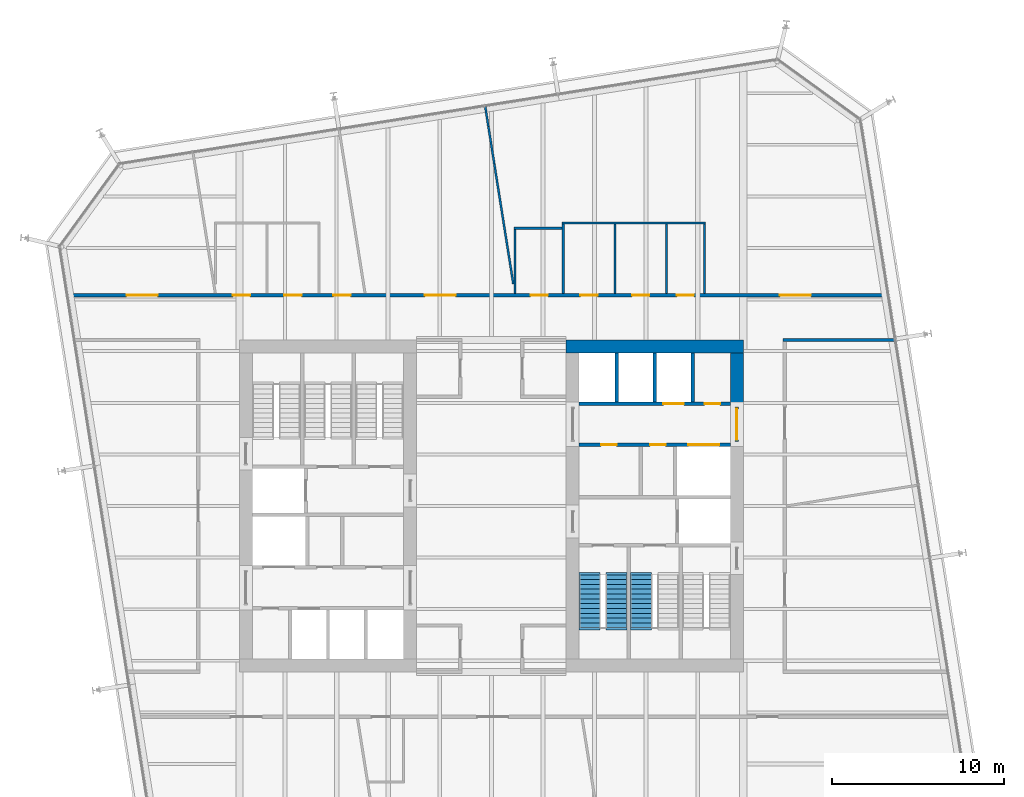
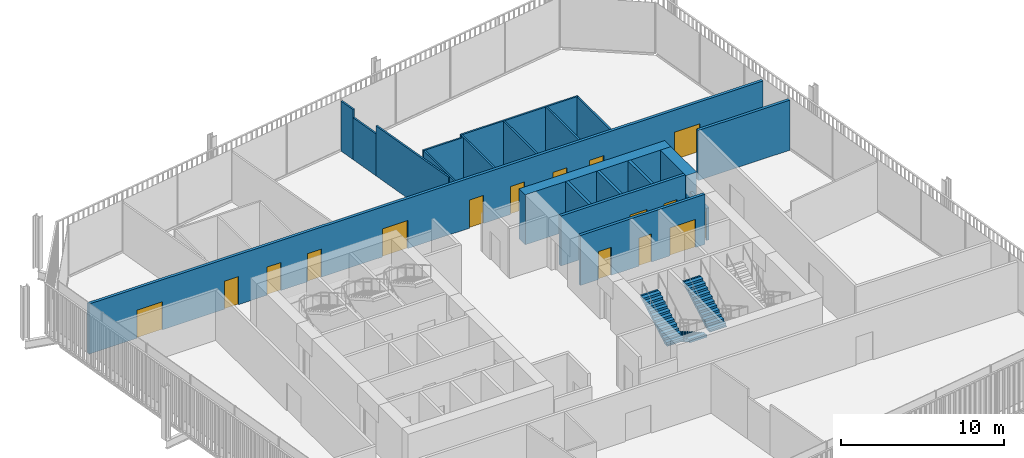
# One storey, part 19 of 21: 20 walls, 16 doors, 3 stair flights, 16 openings, 2 elements without a shape of their own.
"""IFC4 building model written with IfcOpenShell, lengths in metres."""

import ifcopenshell
import ifcopenshell.guid

model = None  # the IFC model being written
_history = None  # IfcOwnerHistory: only IFC2X3 demands one
_inside = {}  # id of a spatial element -> (the spatial element, [elements in it])
_under = {}  # id of a project, library or spatial element -> (it, [spatial elements below it])
_declared = {}  # id of a project -> (the project, [libraries it declares])
_typed = {}  # id of a type object -> (the type object, [elements of that type])
_made_of = {}  # id of a material, layer set ... -> (it, [elements and type objects made of it])


def new_model(schema):
    """Start an empty IFC model of exactly this schema.

    Asked for "IFC4X3", IfcOpenShell would pick the latest addendum, in which some entities
    have other attributes; the version numbers below select the first issue.
    IFC2X3 requires an IfcOwnerHistory on every rooted entity: one is made here for all.
    """
    global model, _history
    if schema == "IFC4X3":
        model = ifcopenshell.file(schema_version=(4, 3, 0, 0))
    else:
        model = ifcopenshell.file(schema=schema)
    _inside.clear()
    _under.clear()
    _declared.clear()
    _typed.clear()
    _made_of.clear()
    _history = None
    if model.schema == "IFC2X3":
        org = make("IfcOrganization", Name="unknown")
        user = make(
            "IfcPersonAndOrganization",
            ThePerson=make("IfcPerson", FamilyName="unknown"),
            TheOrganization=org,
        )
        app = make(
            "IfcApplication",
            ApplicationDeveloper=org,
            Version="unknown",
            ApplicationFullName="unknown",
            ApplicationIdentifier="unknown",
        )
        _history = make(
            "IfcOwnerHistory",
            OwningUser=user,
            OwningApplication=app,
            ChangeAction="ADDED",
            CreationDate=0,
        )
    return model


def make(cls, **values):
    """One entity of the class cls with the attributes given. An attribute that is None is left unset."""
    return model.create_entity(
        cls, **{name: value for name, value in values.items() if value is not None}
    )


def rooted(cls, **values):
    """An entity with a GlobalId (a new one), such as an element, a storey or a relation."""
    return make(cls, GlobalId=ifcopenshell.guid.new(), OwnerHistory=_history, **values)


def si_unit(unit_type, name, prefix=None):
    """IfcSIUnit, for example si_unit("LENGTHUNIT", "METRE", prefix="MILLI")."""
    return make("IfcSIUnit", UnitType=unit_type, Prefix=prefix, Name=name)


def assignment(units):
    """IfcUnitAssignment: the units of a project."""
    return None if units is None else make("IfcUnitAssignment", Units=units)


def point(xyz):
    """IfcCartesianPoint."""
    return None if xyz is None else make("IfcCartesianPoint", Coordinates=xyz)


def direction(xyz):
    """IfcDirection."""
    return None if xyz is None else make("IfcDirection", DirectionRatios=xyz)


def frame(location, z_axis=None, x_axis=None):
    """IfcAxis2Placement3D, a coordinate frame: its origin and axes. An axis left out is left unset."""
    return make(
        "IfcAxis2Placement3D",
        Location=point(location),
        Axis=direction(z_axis),
        RefDirection=direction(x_axis),
    )


def frame_2d(location, x_axis=None):
    """IfcAxis2Placement2D, a coordinate frame in the plane: its origin and x axis."""
    return make(
        "IfcAxis2Placement2D", Location=point(location), RefDirection=direction(x_axis)
    )


def origin():
    """The frame at (0, 0, 0) with its axes left unset."""
    return frame((0.0, 0.0, 0.0))


def place(relative_to, where):
    """IfcLocalPlacement: puts the frame where relative to a parent placement (None: the world)."""
    return make(
        "IfcLocalPlacement", PlacementRelTo=relative_to, RelativePlacement=where
    )


def context(
    kind, dimensions, precision=None, world=None, true_north=None, identifier=None
):
    """IfcGeometricRepresentationContext, for example the 3D "Model" context."""
    return make(
        "IfcGeometricRepresentationContext",
        ContextIdentifier=identifier,
        ContextType=kind,
        CoordinateSpaceDimension=dimensions,
        Precision=precision,
        WorldCoordinateSystem=world,
        TrueNorth=true_north,
    )


def subcontext(parent, identifier, kind, view, scale=None):
    """IfcGeometricRepresentationSubContext, for example "Body" below "Model"."""
    return make(
        "IfcGeometricRepresentationSubContext",
        ContextIdentifier=identifier,
        ContextType=kind,
        ParentContext=parent,
        TargetScale=scale,
        TargetView=view,
    )


def project(units=None, contexts=None):
    """IfcProject with its units and contexts."""
    return rooted(
        "IfcProject",
        Name="project",
        RepresentationContexts=contexts,
        UnitsInContext=assignment(units),
    )


def spatial(cls, under=None, at=None, **own):
    """A site, building, storey or space (cls), placed at a placement, below another one or the project."""
    s = rooted(cls, ObjectPlacement=at, **own)
    if under is not None:
        _under.setdefault(under.id(), (under, []))[1].append(s)
    return s


def polyline(points):
    """IfcPolyline through the points."""
    return make("IfcPolyline", Points=[point(p) for p in points])


def profile(cls, at=None, kind="AREA", **sizes):
    """A parametric profile (cls). Its sizes go by their IFC names, for example OverallWidth=200.0."""
    return make(cls, ProfileType=kind, Position=at, **sizes)


def rectangle(**sizes):
    """IfcRectangleProfileDef."""
    return profile("IfcRectangleProfileDef", **sizes)


def outline(outer, holes=None, kind="AREA"):
    """IfcArbitraryClosedProfileDef: a profile drawn as a closed curve; with holes, ...WithVoids."""
    if holes is None:
        return make("IfcArbitraryClosedProfileDef", ProfileType=kind, OuterCurve=outer)
    return make(
        "IfcArbitraryProfileDefWithVoids",
        ProfileType=kind,
        OuterCurve=outer,
        InnerCurves=holes,
    )


def extrude(swept, where, along, depth):
    """IfcExtrudedAreaSolid: the profile swept, set in the frame where, extruded along a direction by depth."""
    return make(
        "IfcExtrudedAreaSolid",
        SweptArea=swept,
        Position=where,
        ExtrudedDirection=direction(along),
        Depth=depth,
    )


def shape(context_of_items, identifier, shape_type, items):
    """IfcShapeRepresentation: the items that make up one representation, for example the "Body"."""
    return make(
        "IfcShapeRepresentation",
        ContextOfItems=context_of_items,
        RepresentationIdentifier=identifier,
        RepresentationType=shape_type,
        Items=items,
    )


def material(Name=None, Category=None):
    """IfcMaterial."""
    return make("IfcMaterial", Name=Name, Category=Category)


def layer(
    of_material, thickness, ventilated=None, Name=None, Category=None, Priority=None
):
    """IfcMaterialLayer: one layer of a wall or slab, of a material (None: an air gap)."""
    return make(
        "IfcMaterialLayer",
        Material=of_material,
        LayerThickness=thickness,
        IsVentilated=ventilated,
        Name=Name,
        Category=Category,
        Priority=Priority,
    )


def layer_set(layers, Name=None):
    """IfcMaterialLayerSet."""
    return make("IfcMaterialLayerSet", MaterialLayers=layers, LayerSetName=Name)


def made_of(thing, what):
    """Note that an element or type object is made of a material, layer set ...; save() writes the relation."""
    if what is not None:
        _made_of.setdefault(what.id(), (what, []))[1].append(thing)
    return thing


def type_object(cls, material=None, **own):
    """A type object (cls), such as IfcWallType, which elements share."""
    return made_of(rooted(cls, **own), material)


def element(
    cls,
    number,
    at=None,
    inside=None,
    cuts=None,
    type_object=None,
    material=None,
    context=None,
    identifier="Body",
    shape_type=None,
    held_by="IfcProductDefinitionShape",
    body=None,
    shapes=None,
    **own,
):
    """One element of the class cls, such as IfcWall. Its Tag is "e" and its number.

    at: its placement. inside: the storey or other place that contains it. cuts: it is an
    opening in that element (IfcRelVoidsElement). A single representation is given by context,
    identifier, shape_type and body (its items); several are given by shapes. held_by: the class
    of the entity that holds the representations. save() writes the other relations.
    """
    e = rooted(cls, Tag="e%d" % number, ObjectPlacement=at, **own)
    if body is not None:
        shapes = [shape(context, identifier, shape_type, body)]
    if shapes is not None:
        e.Representation = make(held_by, Representations=shapes)
    if inside is not None:
        _inside.setdefault(inside.id(), (inside, []))[1].append(e)
    if cuts is not None:
        rooted(
            "IfcRelVoidsElement", RelatingBuildingElement=cuts, RelatedOpeningElement=e
        )
    if type_object is not None:
        _typed.setdefault(type_object.id(), (type_object, []))[1].append(e)
    return made_of(e, material)


def fill(opening, filler):
    """IfcRelFillsElement: the door or window that sits in an opening."""
    return rooted(
        "IfcRelFillsElement",
        RelatingOpeningElement=opening,
        RelatedBuildingElement=filler,
    )


def aggregate(whole, parts):
    """IfcRelAggregates: a whole, such as a stair, and the parts it consists of."""
    return rooted("IfcRelAggregates", RelatingObject=whole, RelatedObjects=parts)


def save(model, path):
    """Write the relations noted so far, then the file.

    IfcRelAggregates (storeys below a building ...), IfcRelContainedInSpatialStructure (elements
    in a storey), IfcRelDefinesByType, IfcRelAssociatesMaterial and IfcRelDeclares: one each for
    every whole, place, type object, material and project.
    """
    for whole, parts in _under.values():
        aggregate(whole, parts)
    for where, things in _inside.values():
        rooted(
            "IfcRelContainedInSpatialStructure",
            RelatedElements=things,
            RelatingStructure=where,
        )
    for kind, things in _typed.values():
        rooted("IfcRelDefinesByType", RelatedObjects=things, RelatingType=kind)
    for what, things in _made_of.values():
        rooted("IfcRelAssociatesMaterial", RelatedObjects=things, RelatingMaterial=what)
    for by, libraries in _declared.values():
        rooted("IfcRelDeclares", RelatingContext=by, RelatedDefinitions=libraries)
    model.write(path)


model = new_model("IFC4")

# Units and contexts
model_context = context("Model", 3, precision=1e-05, world=origin(), true_north=direction((0.0, 1.0)))
body_context = subcontext(model_context, "Body", "Model", "MODEL_VIEW")
ifc_project = project(units=[si_unit("LENGTHUNIT", "METRE"), si_unit("AREAUNIT", "SQUARE_METRE"), si_unit("VOLUMEUNIT", "CUBIC_METRE"), si_unit("PLANEANGLEUNIT", "RADIAN"), si_unit("MASSUNIT", "GRAM", prefix="KILO")], contexts=[model_context])

# Site, building, storey
site_placement = place(None, origin())
site = spatial("IfcSite", under=ifc_project, at=site_placement, CompositionType="ELEMENT")
building_placement = place(site_placement, origin())
building = spatial("IfcBuilding", under=site, at=building_placement, Name="Millrace Tower", CompositionType="ELEMENT")
storey_placement = place(building_placement, frame((0.0, 0.0, 183.89990234375)))
storey = spatial("IfcBuildingStorey", under=building, at=storey_placement, Name="L41", CompositionType="ELEMENT", Elevation=183.89990234375)

# Walls
ifc_material_1 = material(Name="Concrete C70", Category="concrete")
ifc_layer_1 = layer(ifc_material_1, 0.75)
ifc_layer_set_1 = layer_set([ifc_layer_1], Name="Concrete C70")
wall_type_1 = type_object("IfcWallType", Name="Core wall 750 Concrete C70", PredefinedType="SHEAR", material=ifc_layer_set_1)
wall_1_placement = place(storey_placement, frame((14.64990234375, 9.27490234375, 0.0), z_axis=(0.0, 0.0, 1.0), x_axis=(-1.0, 0.0, 0.0)))
element("IfcWall", 1, at=wall_1_placement, inside=storey, type_object=wall_type_1, Name="Core wall E L41", PredefinedType="SHEAR", context=body_context, shape_type="SweptSolid", body=[
    extrude(rectangle(XDim=10.2998046875, YDim=0.75, at=frame_2d((5.14990234375, 0.0))), origin(), (0.0, 0.0, 1.0), 3.739990234375),
])
wall_2_placement = place(storey_placement, frame((14.27490234375, 8.89990234375, 0.0), z_axis=(0.0, 0.0, 1.0), x_axis=(0.0, -1.0, 0.0)))
element("IfcWall", 2, at=wall_2_placement, inside=storey, type_object=wall_type_1, Name="Core wall E L41", PredefinedType="SHEAR", context=body_context, shape_type="SweptSolid", body=[
    extrude(rectangle(XDim=3.14990234375, YDim=0.75, at=frame_2d((1.574951171875, 0.0))), origin(), (0.0, 0.0, 1.0), 3.739990234375),
])
ifc_material_2 = material(Name="Masonry partition, fire-rated", Category="masonry")
ifc_layer_2 = layer(ifc_material_2, 0.199951171875)
ifc_layer_set_2 = layer_set([ifc_layer_2], Name="Masonry partition, fire-rated")
wall_type_2 = type_object("IfcWallType", Name="Corridor wall 200", PredefinedType="PARTITIONING", material=ifc_layer_set_2)
wall_3_placement = place(storey_placement, frame((16.949951171875, 9.64990234375, 0.0), z_axis=(0.0, 0.0, 1.0), x_axis=(1.0, 0.0, 0.0)))
element("IfcWall", 3, at=wall_3_placement, inside=storey, type_object=wall_type_2, Name="Corridor wall L41", PredefinedType="PARTITIONING", context=body_context, shape_type="SweptSolid", body=[
    extrude(rectangle(XDim=6.489501953125, YDim=0.199951171875, at=frame_2d((3.24462890625, 0.0))), origin(), (0.0, 0.0, 1.0), 3.739990234375),
])

# Wall, openings, doors
wall_4_placement = place(storey_placement, frame((-24.618896484375, 12.25, 0.0), z_axis=(0.0, 0.0, 1.0), x_axis=(1.0, 0.0, 0.0)))
wall_4 = element("IfcWall", 4, at=wall_4_placement, inside=storey, type_object=wall_type_2, Name="Corridor wall L41", PredefinedType="PARTITIONING", context=body_context, shape_type="SweptSolid", body=[
    extrude(rectangle(XDim=47.646484375, YDim=0.199951171875, at=frame_2d((23.8232421875, 0.0))), origin(), (0.0, 0.0, 1.0), 3.739990234375),
])
opening_1_placement = place(wall_4_placement, frame((3.41845703125, 0.0, 0.0)))
opening_1 = element("IfcOpeningElement", 5, at=opening_1_placement, cuts=wall_4, Name="Opening 41-P005", PredefinedType="OPENING", context=body_context, shape_type="SweptSolid", body=[
    extrude(rectangle(XDim=1.800048828125, YDim=2.10009765625, at=frame_2d((0.89990234375, 1.050048828125))), frame((0.0, 0.10986328125, 0.0), z_axis=(0.0, -1.0, 0.0), x_axis=(1.0, 0.0, 0.0)), (0.0, 0.0, 1.0), 0.219970703125),
])
opening_2_placement = place(wall_4_placement, frame((15.439453125, 0.0, 0.0)))
opening_2 = element("IfcOpeningElement", 6, at=opening_2_placement, cuts=wall_4, Name="Opening 41-P006", PredefinedType="OPENING", context=body_context, shape_type="SweptSolid", body=[
    extrude(rectangle(XDim=1.0, YDim=2.10009765625, at=frame_2d((0.5, 1.050048828125))), frame((0.0, 0.10986328125, 0.0), z_axis=(0.0, -1.0, 0.0), x_axis=(1.0, 0.0, 0.0)), (0.0, 0.0, 1.0), 0.219970703125),
])
opening_3_placement = place(wall_4_placement, frame((9.5859375, 0.0, 0.0)))
opening_3 = element("IfcOpeningElement", 7, at=opening_3_placement, cuts=wall_4, Name="Opening 41-P007", PredefinedType="OPENING", context=body_context, shape_type="SweptSolid", body=[
    extrude(rectangle(XDim=1.0, YDim=2.10009765625, at=frame_2d((0.5, 1.050048828125))), frame((0.0, 0.10986328125, 0.0), z_axis=(0.0, -1.0, 0.0), x_axis=(1.0, 0.0, 0.0)), (0.0, 0.0, 1.0), 0.219970703125),
])
opening_4_placement = place(wall_4_placement, frame((12.5859375, 0.0, 0.0)))
opening_4 = element("IfcOpeningElement", 8, at=opening_4_placement, cuts=wall_4, Name="Opening 41-P008", PredefinedType="OPENING", context=body_context, shape_type="SweptSolid", body=[
    extrude(rectangle(XDim=1.0, YDim=2.10009765625, at=frame_2d((0.5, 1.050048828125))), frame((0.0, 0.10986328125, 0.0), z_axis=(0.0, -1.0, 0.0), x_axis=(1.0, 0.0, 0.0)), (0.0, 0.0, 1.0), 0.219970703125),
])
opening_5_placement = place(wall_4_placement, frame((20.746337890625, 0.0, 0.0)))
opening_5 = element("IfcOpeningElement", 9, at=opening_5_placement, cuts=wall_4, Name="Opening 41-P009", PredefinedType="OPENING", context=body_context, shape_type="SweptSolid", body=[
    extrude(rectangle(XDim=1.800048828125, YDim=2.10009765625, at=frame_2d((0.89990234375, 1.050048828125))), frame((0.0, 0.10986328125, 0.0), z_axis=(0.0, -1.0, 0.0), x_axis=(1.0, 0.0, 0.0)), (0.0, 0.0, 1.0), 0.219970703125),
])
opening_6_placement = place(wall_4_placement, frame((41.39794921875, 0.0, 0.0)))
opening_6 = element("IfcOpeningElement", 10, at=opening_6_placement, cuts=wall_4, Name="Opening 41-P010", PredefinedType="OPENING", context=body_context, shape_type="SweptSolid", body=[
    extrude(rectangle(XDim=1.800048828125, YDim=2.10009765625, at=frame_2d((0.89990234375, 1.050048828125))), frame((0.0, 0.10986328125, 0.0), z_axis=(0.0, -1.0, 0.0), x_axis=(1.0, 0.0, 0.0)), (0.0, 0.0, 1.0), 0.219970703125),
])
opening_7_placement = place(wall_4_placement, frame((26.89990234375, 0.0, 0.0)))
opening_7 = element("IfcOpeningElement", 11, at=opening_7_placement, cuts=wall_4, Name="Opening 41-P011", PredefinedType="OPENING", context=body_context, shape_type="SweptSolid", body=[
    extrude(rectangle(XDim=1.0, YDim=2.10009765625, at=frame_2d((0.5, 1.050048828125))), frame((0.0, 0.10986328125, 0.0), z_axis=(0.0, -1.0, 0.0), x_axis=(1.0, 0.0, 0.0)), (0.0, 0.0, 1.0), 0.219970703125),
])
opening_8_placement = place(wall_4_placement, frame((29.800048828125, 0.0, 0.0)))
opening_8 = element("IfcOpeningElement", 12, at=opening_8_placement, cuts=wall_4, Name="Opening 41-P019", PredefinedType="OPENING", context=body_context, shape_type="SweptSolid", body=[
    extrude(rectangle(XDim=1.0, YDim=2.10009765625, at=frame_2d((0.5, 1.050048828125))), frame((0.0, 0.10986328125, 0.0), z_axis=(0.0, -1.0, 0.0), x_axis=(1.0, 0.0, 0.0)), (0.0, 0.0, 1.0), 0.219970703125),
])
opening_9_placement = place(wall_4_placement, frame((32.800048828125, 0.0, 0.0)))
opening_9 = element("IfcOpeningElement", 13, at=opening_9_placement, cuts=wall_4, Name="Opening 41-P020", PredefinedType="OPENING", context=body_context, shape_type="SweptSolid", body=[
    extrude(rectangle(XDim=1.0, YDim=2.10009765625, at=frame_2d((0.5, 1.050048828125))), frame((0.0, 0.10986328125, 0.0), z_axis=(0.0, -1.0, 0.0), x_axis=(1.0, 0.0, 0.0)), (0.0, 0.0, 1.0), 0.219970703125),
])
opening_10_placement = place(wall_4_placement, frame((35.39990234375, 0.0, 0.0)))
opening_10 = element("IfcOpeningElement", 14, at=opening_10_placement, cuts=wall_4, Name="Opening 41-P021", PredefinedType="OPENING", context=body_context, shape_type="SweptSolid", body=[
    extrude(rectangle(XDim=1.0, YDim=2.10009765625, at=frame_2d((0.5, 1.050048828125))), frame((0.0, 0.10986328125, 0.0), z_axis=(0.0, -1.0, 0.0), x_axis=(1.0, 0.0, 0.0)), (0.0, 0.0, 1.0), 0.219970703125),
])
ifc_material_3 = material(Name="Steel door set, fire-rated", Category="steel")
door_type_1 = type_object("IfcDoorType", Name="Corridor door 1000 x 2100", OperationType="SINGLE_SWING_LEFT", PredefinedType="DOOR", material=ifc_material_3)
door_1_placement = place(opening_2_placement, origin())
door_1 = element("IfcDoor", 15, at=door_1_placement, inside=storey, type_object=door_type_1, Name="Door 41-P006", OperationType="SINGLE_SWING_LEFT", OverallHeight=2.10009765625, OverallWidth=1.0, PredefinedType="DOOR", context=body_context, shape_type="SweptSolid", body=[
    extrude(rectangle(XDim=1.0, YDim=2.10009765625, at=frame_2d((0.5, 1.050048828125))), frame((0.0, 0.02490234375, 0.0), z_axis=(0.0, -1.0, 0.0), x_axis=(1.0, 0.0, 0.0)), (0.0, 0.0, 1.0), 0.050048828125),
])
fill(opening_2, door_1)
door_2_placement = place(opening_3_placement, origin())
door_2 = element("IfcDoor", 16, at=door_2_placement, inside=storey, type_object=door_type_1, Name="Door 41-P007", OperationType="SINGLE_SWING_LEFT", OverallHeight=2.10009765625, OverallWidth=1.0, PredefinedType="DOOR", context=body_context, shape_type="SweptSolid", body=[
    extrude(rectangle(XDim=1.0, YDim=2.10009765625, at=frame_2d((0.5, 1.050048828125))), frame((0.0, 0.02490234375, 0.0), z_axis=(0.0, -1.0, 0.0), x_axis=(1.0, 0.0, 0.0)), (0.0, 0.0, 1.0), 0.050048828125),
])
fill(opening_3, door_2)
door_3_placement = place(opening_4_placement, origin())
door_3 = element("IfcDoor", 17, at=door_3_placement, inside=storey, type_object=door_type_1, Name="Door 41-P008", OperationType="SINGLE_SWING_LEFT", OverallHeight=2.10009765625, OverallWidth=1.0, PredefinedType="DOOR", context=body_context, shape_type="SweptSolid", body=[
    extrude(rectangle(XDim=1.0, YDim=2.10009765625, at=frame_2d((0.5, 1.050048828125))), frame((0.0, 0.02490234375, 0.0), z_axis=(0.0, -1.0, 0.0), x_axis=(1.0, 0.0, 0.0)), (0.0, 0.0, 1.0), 0.050048828125),
])
fill(opening_4, door_3)
door_4_placement = place(opening_7_placement, origin())
door_4 = element("IfcDoor", 18, at=door_4_placement, inside=storey, type_object=door_type_1, Name="Door 41-P011", OperationType="SINGLE_SWING_RIGHT", OverallHeight=2.10009765625, OverallWidth=1.0, PredefinedType="DOOR", context=body_context, shape_type="SweptSolid", body=[
    extrude(rectangle(XDim=1.0, YDim=2.10009765625, at=frame_2d((0.5, 1.050048828125))), frame((0.0, 0.02490234375, 0.0), z_axis=(0.0, -1.0, 0.0), x_axis=(1.0, 0.0, 0.0)), (0.0, 0.0, 1.0), 0.050048828125),
])
fill(opening_7, door_4)
door_5_placement = place(opening_8_placement, origin())
door_5 = element("IfcDoor", 19, at=door_5_placement, inside=storey, type_object=door_type_1, Name="Door 41-P019", OperationType="SINGLE_SWING_RIGHT", OverallHeight=2.10009765625, OverallWidth=1.0, PredefinedType="DOOR", context=body_context, shape_type="SweptSolid", body=[
    extrude(rectangle(XDim=1.0, YDim=2.10009765625, at=frame_2d((0.5, 1.050048828125))), frame((0.0, 0.02490234375, 0.0), z_axis=(0.0, -1.0, 0.0), x_axis=(1.0, 0.0, 0.0)), (0.0, 0.0, 1.0), 0.050048828125),
])
fill(opening_8, door_5)
door_6_placement = place(opening_9_placement, origin())
door_6 = element("IfcDoor", 20, at=door_6_placement, inside=storey, type_object=door_type_1, Name="Door 41-P020", OperationType="SINGLE_SWING_RIGHT", OverallHeight=2.10009765625, OverallWidth=1.0, PredefinedType="DOOR", context=body_context, shape_type="SweptSolid", body=[
    extrude(rectangle(XDim=1.0, YDim=2.10009765625, at=frame_2d((0.5, 1.050048828125))), frame((0.0, 0.02490234375, 0.0), z_axis=(0.0, -1.0, 0.0), x_axis=(1.0, 0.0, 0.0)), (0.0, 0.0, 1.0), 0.050048828125),
])
fill(opening_9, door_6)
door_7_placement = place(opening_10_placement, origin())
door_7 = element("IfcDoor", 21, at=door_7_placement, inside=storey, type_object=door_type_1, Name="Door 41-P021", OperationType="SINGLE_SWING_RIGHT", OverallHeight=2.10009765625, OverallWidth=1.0, PredefinedType="DOOR", context=body_context, shape_type="SweptSolid", body=[
    extrude(rectangle(XDim=1.0, YDim=2.10009765625, at=frame_2d((0.5, 1.050048828125))), frame((0.0, 0.02490234375, 0.0), z_axis=(0.0, -1.0, 0.0), x_axis=(1.0, 0.0, 0.0)), (0.0, 0.0, 1.0), 0.050048828125),
])
fill(opening_10, door_7)
ifc_material_4 = material(Name="Steel door set, fire-rated", Category="steel")
door_type_2 = type_object("IfcDoorType", Name="Corridor door 1800 x 2100", OperationType="DOUBLE_DOOR_SINGLE_SWING", PredefinedType="DOOR", material=ifc_material_4)
door_8_placement = place(opening_1_placement, origin())
door_8 = element("IfcDoor", 22, at=door_8_placement, inside=storey, type_object=door_type_2, Name="Door 41-P005", OperationType="DOUBLE_DOOR_SINGLE_SWING", OverallHeight=2.10009765625, OverallWidth=1.800048828125, PredefinedType="DOOR", context=body_context, shape_type="SweptSolid", body=[
    extrude(rectangle(XDim=1.800048828125, YDim=2.10009765625, at=frame_2d((0.89990234375, 1.050048828125))), frame((0.0, 0.02490234375, 0.0), z_axis=(0.0, -1.0, 0.0), x_axis=(1.0, 0.0, 0.0)), (0.0, 0.0, 1.0), 0.050048828125),
])
fill(opening_1, door_8)
door_9_placement = place(opening_5_placement, origin())
door_9 = element("IfcDoor", 23, at=door_9_placement, inside=storey, type_object=door_type_2, Name="Door 41-P009", OperationType="DOUBLE_DOOR_SINGLE_SWING", OverallHeight=2.10009765625, OverallWidth=1.800048828125, PredefinedType="DOOR", context=body_context, shape_type="SweptSolid", body=[
    extrude(rectangle(XDim=1.800048828125, YDim=2.10009765625, at=frame_2d((0.89990234375, 1.050048828125))), frame((0.0, 0.02490234375, 0.0), z_axis=(0.0, -1.0, 0.0), x_axis=(1.0, 0.0, 0.0)), (0.0, 0.0, 1.0), 0.050048828125),
])
fill(opening_5, door_9)
door_10_placement = place(opening_6_placement, frame((1.800048828125, 0.0, 0.0), z_axis=(0.0, 0.0, 1.0), x_axis=(-1.0, 0.0, 0.0)))
door_10 = element("IfcDoor", 24, at=door_10_placement, inside=storey, type_object=door_type_2, Name="Door 41-P010", OperationType="DOUBLE_DOOR_SINGLE_SWING", OverallHeight=2.10009765625, OverallWidth=1.800048828125, PredefinedType="DOOR", context=body_context, shape_type="SweptSolid", body=[
    extrude(rectangle(XDim=1.800048828125, YDim=2.10009765625, at=frame_2d((0.89990234375, 1.050048828125))), frame((0.0, 0.02490234375, 0.0), z_axis=(0.0, -1.0, 0.0), x_axis=(1.0, 0.0, 0.0)), (0.0, 0.0, 1.0), 0.050048828125),
])
fill(opening_6, door_10)

ifc_material_5 = material(Name="Masonry partition, fire-rated", Category="masonry")
ifc_layer_3 = layer(ifc_material_5, 0.199951171875)
ifc_layer_set_3 = layer_set([ifc_layer_3], Name="Masonry partition, fire-rated")
wall_type_3 = type_object("IfcWallType", Name="Lift shaft wall 200", PredefinedType="PARTITIONING", material=ifc_layer_set_3)
wall_5_placement = place(storey_placement, frame((13.89990234375, 5.949951171875, 0.0), z_axis=(0.0, 0.0, 1.0), x_axis=(-1.0, 0.0, 0.0)))
wall_5 = element("IfcWall", 25, at=wall_5_placement, inside=storey, type_object=wall_type_3, Name="Lift shaft wall E L41", PredefinedType="PARTITIONING", context=body_context, shape_type="SweptSolid", body=[
    extrude(rectangle(XDim=8.7998046875, YDim=0.199951171875, at=frame_2d((4.39990234375, 0.0))), origin(), (0.0, 0.0, 1.0), 3.739990234375),
])
opening_11_placement = place(wall_5_placement, frame((2.699951171875, 0.0, 0.0)))
opening_11 = element("IfcOpeningElement", 26, at=opening_11_placement, cuts=wall_5, Name="Opening 41-LD10", PredefinedType="OPENING", context=body_context, shape_type="SweptSolid", body=[
    extrude(rectangle(XDim=1.199951171875, YDim=2.10009765625, at=frame_2d((0.60009765625, 1.050048828125))), frame((0.0, 0.10986328125, 0.0), z_axis=(0.0, -1.0, 0.0), x_axis=(1.0, 0.0, 0.0)), (0.0, 0.0, 1.0), 0.219970703125),
])
opening_12_placement = place(wall_5_placement, frame((0.60009765625, 0.0, 0.0)))
opening_12 = element("IfcOpeningElement", 27, at=opening_12_placement, cuts=wall_5, Name="Opening 41-C014", PredefinedType="OPENING", context=body_context, shape_type="SweptSolid", body=[
    extrude(rectangle(XDim=0.89990234375, YDim=2.10009765625, at=frame_2d((0.449951171875, 1.050048828125))), frame((0.0, 0.10986328125, 0.0), z_axis=(0.0, -1.0, 0.0), x_axis=(1.0, 0.0, 0.0)), (0.0, 0.0, 1.0), 0.219970703125),
])
ifc_material_6 = material(Name="Stainless steel, fire-rated", Category="steel")
door_type_3 = type_object("IfcDoorType", Name="Lift landing door 1200 x 2100", OperationType="DOUBLE_DOOR_SLIDING", PredefinedType="DOOR", material=ifc_material_6)
door_11_placement = place(opening_11_placement, origin())
door_11 = element("IfcDoor", 28, at=door_11_placement, inside=storey, type_object=door_type_3, Name="Lift landing door LF10 L41", OperationType="DOUBLE_DOOR_SLIDING", OverallHeight=2.10009765625, OverallWidth=1.199951171875, PredefinedType="DOOR", context=body_context, shape_type="SweptSolid", body=[
    extrude(rectangle(XDim=1.199951171875, YDim=2.10009765625, at=frame_2d((0.60009765625, 1.050048828125))), frame((0.0, 0.02490234375, 0.0), z_axis=(0.0, -1.0, 0.0), x_axis=(1.0, 0.0, 0.0)), (0.0, 0.0, 1.0), 0.050048828125),
])
fill(opening_11, door_11)
ifc_material_7 = material(Name="Steel door, fire-rated", Category="steel")
door_type_4 = type_object("IfcDoorType", Name="Service room door 900 x 2100", OperationType="SINGLE_SWING_LEFT", PredefinedType="DOOR", material=ifc_material_7)
door_12_placement = place(opening_12_placement, frame((0.89990234375, 0.0, 0.0), z_axis=(0.0, 0.0, 1.0), x_axis=(-1.0, 0.0, 0.0)))
door_12 = element("IfcDoor", 29, at=door_12_placement, inside=storey, type_object=door_type_4, Name="Service room door 41-C014", OperationType="SINGLE_SWING_RIGHT", OverallHeight=2.10009765625, OverallWidth=0.89990234375, PredefinedType="DOOR", context=body_context, shape_type="SweptSolid", body=[
    extrude(rectangle(XDim=0.89990234375, YDim=2.10009765625, at=frame_2d((0.449951171875, 1.050048828125))), frame((0.0, 0.02490234375, 0.0), z_axis=(0.0, -1.0, 0.0), x_axis=(1.0, 0.0, 0.0)), (0.0, 0.0, 1.0), 0.050048828125),
])
fill(opening_12, door_12)

wall_6_placement = place(storey_placement, frame((13.89990234375, 3.550048828125, 0.0), z_axis=(0.0, 0.0, 1.0), x_axis=(-1.0, 0.0, 0.0)))
wall_6 = element("IfcWall", 30, at=wall_6_placement, inside=storey, type_object=wall_type_3, Name="Lift shaft wall E L41", PredefinedType="PARTITIONING", context=body_context, shape_type="SweptSolid", body=[
    extrude(rectangle(XDim=8.7998046875, YDim=0.199951171875, at=frame_2d((4.39990234375, 0.0))), origin(), (0.0, 0.0, 1.0), 3.739990234375),
])
opening_13_placement = place(wall_6_placement, frame((0.64990234375, 0.0, 0.0)))
opening_13 = element("IfcOpeningElement", 31, at=opening_13_placement, cuts=wall_6, Name="Opening 41-LD13", PredefinedType="OPENING", context=body_context, shape_type="SweptSolid", body=[
    extrude(rectangle(XDim=1.800048828125, YDim=2.10009765625, at=frame_2d((0.89990234375, 1.050048828125))), frame((0.0, 0.10986328125, 0.0), z_axis=(0.0, -1.0, 0.0), x_axis=(1.0, 0.0, 0.0)), (0.0, 0.0, 1.0), 0.219970703125),
])
opening_14_placement = place(wall_6_placement, frame((3.762451171875, 0.0, 0.0)))
opening_14 = element("IfcOpeningElement", 32, at=opening_14_placement, cuts=wall_6, Name="Opening 41-C015", PredefinedType="OPENING", context=body_context, shape_type="SweptSolid", body=[
    extrude(rectangle(XDim=0.89990234375, YDim=2.10009765625, at=frame_2d((0.449951171875, 1.050048828125))), frame((0.0, 0.10986328125, 0.0), z_axis=(0.0, -1.0, 0.0), x_axis=(1.0, 0.0, 0.0)), (0.0, 0.0, 1.0), 0.219970703125),
])
opening_15_placement = place(wall_6_placement, frame((6.612548828125, 0.0, 0.0)))
opening_15 = element("IfcOpeningElement", 33, at=opening_15_placement, cuts=wall_6, Name="Opening 41-C016", PredefinedType="OPENING", context=body_context, shape_type="SweptSolid", body=[
    extrude(rectangle(XDim=0.89990234375, YDim=2.10009765625, at=frame_2d((0.449951171875, 1.050048828125))), frame((0.0, 0.10986328125, 0.0), z_axis=(0.0, -1.0, 0.0), x_axis=(1.0, 0.0, 0.0)), (0.0, 0.0, 1.0), 0.219970703125),
])
ifc_material_8 = material(Name="Stainless steel, fire-rated", Category="steel")
door_type_5 = type_object("IfcDoorType", Name="Lift landing door 1800 x 2100", OperationType="DOUBLE_DOOR_SLIDING", PredefinedType="DOOR", material=ifc_material_8)
door_13_placement = place(opening_13_placement, origin())
door_13 = element("IfcDoor", 34, at=door_13_placement, inside=storey, type_object=door_type_5, Name="Lift landing door LF13 L41", OperationType="DOUBLE_DOOR_SLIDING", OverallHeight=2.10009765625, OverallWidth=1.800048828125, PredefinedType="DOOR", context=body_context, shape_type="SweptSolid", body=[
    extrude(rectangle(XDim=1.800048828125, YDim=2.10009765625, at=frame_2d((0.89990234375, 1.050048828125))), frame((0.0, 0.02490234375, 0.0), z_axis=(0.0, -1.0, 0.0), x_axis=(1.0, 0.0, 0.0)), (0.0, 0.0, 1.0), 0.050048828125),
])
fill(opening_13, door_13)
door_14_placement = place(opening_14_placement, origin())
door_14 = element("IfcDoor", 35, at=door_14_placement, inside=storey, type_object=door_type_4, Name="Service room door 41-C015", OperationType="SINGLE_SWING_LEFT", OverallHeight=2.10009765625, OverallWidth=0.89990234375, PredefinedType="DOOR", context=body_context, shape_type="SweptSolid", body=[
    extrude(rectangle(XDim=0.89990234375, YDim=2.10009765625, at=frame_2d((0.449951171875, 1.050048828125))), frame((0.0, 0.02490234375, 0.0), z_axis=(0.0, -1.0, 0.0), x_axis=(1.0, 0.0, 0.0)), (0.0, 0.0, 1.0), 0.050048828125),
])
fill(opening_14, door_14)
door_15_placement = place(opening_15_placement, origin())
door_15 = element("IfcDoor", 36, at=door_15_placement, inside=storey, type_object=door_type_4, Name="Service room door 41-C016", OperationType="SINGLE_SWING_RIGHT", OverallHeight=2.10009765625, OverallWidth=0.89990234375, PredefinedType="DOOR", context=body_context, shape_type="SweptSolid", body=[
    extrude(rectangle(XDim=0.89990234375, YDim=2.10009765625, at=frame_2d((0.449951171875, 1.050048828125))), frame((0.0, 0.02490234375, 0.0), z_axis=(0.0, -1.0, 0.0), x_axis=(1.0, 0.0, 0.0)), (0.0, 0.0, 1.0), 0.050048828125),
])
fill(opening_15, door_15)

# Walls
for number, where, z_axis, x_axis, name in (
    (37, (11.699951171875, 8.89990234375, 0.0), (0.0, 0.0, 1.0), (0.0, -1.0, 0.0), "Lift shaft wall E L41"),
    (38, (9.5, 8.89990234375, 0.0), (0.0, 0.0, 1.0), (0.0, -1.0, 0.0), "Lift shaft wall E L41"),
    (39, (7.300048828125, 8.89990234375, 0.0), (0.0, 0.0, 1.0), (0.0, -1.0, 0.0), "Lift shaft wall E L41"),
):
    element("IfcWall", number, at=place(storey_placement, frame(where, z_axis=z_axis, x_axis=x_axis)), inside=storey, type_object=wall_type_3, Name=name, PredefinedType="PARTITIONING", context=body_context, shape_type="SweptSolid", body=[
        extrude(rectangle(XDim=2.849853515625, YDim=0.199951171875, at=frame_2d((1.4248046875, 0.0))), origin(), (0.0, 0.0, 1.0), 3.739990234375),
    ])

# Wall, opening, door
ifc_material_9 = material(Name="Masonry partition, fire-rated", Category="masonry")
ifc_layer_4 = layer(ifc_material_9, 0.199951171875)
ifc_layer_set_4 = layer_set([ifc_layer_4], Name="Masonry partition, fire-rated")
wall_type_4 = type_object("IfcWallType", Name="Lobby wall 200", PredefinedType="PARTITIONING", material=ifc_layer_set_4)
wall_7_placement = place(storey_placement, frame((14.27490234375, 5.75, 0.0), z_axis=(0.0, 0.0, 1.0), x_axis=(0.0, -1.0, 0.0)))
wall_7 = element("IfcWall", 40, at=wall_7_placement, inside=storey, type_object=wall_type_4, Name="Lobby wall E L41", PredefinedType="PARTITIONING", context=body_context, shape_type="SweptSolid", body=[
    extrude(rectangle(XDim=2.0, YDim=0.199951171875, at=frame_2d((1.0, 0.0))), origin(), (0.0, 0.0, 1.0), 2.400146484375),
])
opening_16_placement = place(wall_7_placement, frame((0.10009765625, 0.0, 0.0)))
opening_16 = element("IfcOpeningElement", 41, at=opening_16_placement, cuts=wall_7, Name="Opening 41-C010", PredefinedType="OPENING", context=body_context, shape_type="SweptSolid", body=[
    extrude(rectangle(XDim=1.800048828125, YDim=2.10009765625, at=frame_2d((0.89990234375, 1.050048828125))), frame((0.0, 0.10986328125, 0.0), z_axis=(0.0, -1.0, 0.0), x_axis=(1.0, 0.0, 0.0)), (0.0, 0.0, 1.0), 0.219970703125),
])
ifc_material_10 = material(Name="Steel door, fire-rated", Category="steel")
door_type_6 = type_object("IfcDoorType", Name="Lobby door 1800 x 2100", OperationType="DOUBLE_DOOR_SINGLE_SWING", PredefinedType="DOOR", material=ifc_material_10)
door_16_placement = place(opening_16_placement, origin())
door_16 = element("IfcDoor", 42, at=door_16_placement, inside=storey, type_object=door_type_6, Name="Lobby door 41-C010", OperationType="DOUBLE_DOOR_SINGLE_SWING", OverallHeight=2.10009765625, OverallWidth=1.800048828125, PredefinedType="DOOR", context=body_context, shape_type="SweptSolid", body=[
    extrude(rectangle(XDim=1.800048828125, YDim=2.10009765625, at=frame_2d((0.89990234375, 1.050048828125))), frame((0.0, 0.02490234375, 0.0), z_axis=(0.0, -1.0, 0.0), x_axis=(1.0, 0.0, 0.0)), (0.0, 0.0, 1.0), 0.050048828125),
])
fill(opening_16, door_16)

# Walls
ifc_material_11 = material(Name="Gypsum board partition")
ifc_layer_5 = layer(ifc_material_11, 0.1201171875)
ifc_layer_set_5 = layer_set([ifc_layer_5], Name="Gypsum board partition")
wall_type_5 = type_object("IfcWallType", Name="Partition wall 120", PredefinedType="PARTITIONING", material=ifc_layer_set_5)
wall_8_placement = place(storey_placement, frame((-0.35791015625, 23.2265625, 0.0), z_axis=(0.0, 0.0, 1.0), x_axis=(0.156600767985, -0.987661986444, 0.0)))
element("IfcWall", 43, at=wall_8_placement, inside=storey, type_object=wall_type_5, Name="Partition wall L41", PredefinedType="PARTITIONING", context=body_context, shape_type="SweptSolid", body=[
    extrude(rectangle(XDim=1.1787109375, YDim=0.1201171875, at=frame_2d((0.58935546875, 0.0))), origin(), (0.0, 0.0, 1.0), 3.739990234375),
])
wall_9_placement = place(storey_placement, frame((-0.17333984375, 22.0625, 0.0), z_axis=(0.0, 0.0, 1.0), x_axis=(0.156375374173, -0.987697697857, 0.0)))
element("IfcWall", 44, at=wall_9_placement, inside=storey, type_object=wall_type_5, Name="Partition wall L41", PredefinedType="PARTITIONING", context=body_context, shape_type="SweptSolid", body=[
    extrude(rectangle(XDim=2.217041015625, YDim=0.1201171875, at=frame_2d((1.1083984375, 0.0))), origin(), (0.0, 0.0, 1.0), 3.133056640625),
])
wall_10_placement = place(storey_placement, frame((0.17333984375, 19.872802734375, 0.0), z_axis=(0.0, 0.0, 1.0), x_axis=(0.156494148145, -0.987678885871, 0.0)))
element("IfcWall", 45, at=wall_10_placement, inside=storey, type_object=wall_type_5, Name="Partition wall L41", PredefinedType="PARTITIONING", context=body_context, shape_type="SweptSolid", body=[
    extrude(rectangle(XDim=7.051513671875, YDim=0.1201171875, at=frame_2d((3.52587890625, 0.0))), origin(), (0.0, 0.0, 1.0), 3.739990234375),
])
wall_11_placement = place(storey_placement, frame((1.321044921875, 16.14990234375, 0.0), z_axis=(0.0, 0.0, 1.0), x_axis=(1.0, 0.0, 0.0)))
element("IfcWall", 46, at=wall_11_placement, inside=storey, type_object=wall_type_5, Name="Partition wall L41", PredefinedType="PARTITIONING", context=body_context, shape_type="SweptSolid", body=[
    extrude(rectangle(XDim=2.800048828125, YDim=0.1201171875, at=frame_2d((1.39990234375, 0.0))), origin(), (0.0, 0.0, 1.0), 3.739990234375),
])
wall_12_placement = place(storey_placement, frame((4.12109375, 16.449951171875, 0.0), z_axis=(0.0, 0.0, 1.0), x_axis=(1.0, 0.0, 0.0)))
element("IfcWall", 47, at=wall_12_placement, inside=storey, type_object=wall_type_5, Name="Partition wall L41", PredefinedType="PARTITIONING", context=body_context, shape_type="SweptSolid", body=[
    extrude(rectangle(XDim=8.31982421875, YDim=0.1201171875, at=frame_2d((4.159912109375, 0.0))), origin(), (0.0, 0.0, 1.0), 3.739990234375),
])
for number, where, z_axis, x_axis, name in (
    (48, (12.381103515625, 12.35009765625, 0.0), (0.0, 0.0, 1.0), (0.0, 1.0, 0.0), "Partition wall L41"),
    (49, (10.180908203125, 12.35009765625, 0.0), (0.0, 0.0, 1.0), (0.0, 1.0, 0.0), "Partition wall L41"),
    (50, (7.180908203125, 12.35009765625, 0.0), (0.0, 0.0, 1.0), (0.0, 1.0, 0.0), "Partition wall L41"),
    (51, (4.180908203125, 12.35009765625, 0.0), (0.0, 0.0, 1.0), (0.0, 1.0, 0.0), "Partition wall L41"),
):
    element("IfcWall", number, at=place(storey_placement, frame(where, z_axis=z_axis, x_axis=x_axis)), inside=storey, type_object=wall_type_5, Name=name, PredefinedType="PARTITIONING", context=body_context, shape_type="SweptSolid", body=[
        extrude(rectangle(XDim=4.039794921875, YDim=0.1201171875, at=frame_2d((2.02001953125, 0.0))), origin(), (0.0, 0.0, 1.0), 3.739990234375),
    ])
wall_13_placement = place(storey_placement, frame((1.381103515625, 12.35009765625, 0.0), z_axis=(0.0, 0.0, 1.0), x_axis=(0.0, 1.0, 0.0)))
element("IfcWall", 52, at=wall_13_placement, inside=storey, type_object=wall_type_5, Name="Partition wall L41", PredefinedType="PARTITIONING", context=body_context, shape_type="SweptSolid", body=[
    extrude(rectangle(XDim=3.739990234375, YDim=0.1201171875, at=frame_2d((1.8701171875, 0.0))), origin(), (0.0, 0.0, 1.0), 3.739990234375),
])

# Stair, stair flight
ifc_material_12 = material(Name="Concrete C35", Category="concrete")
stair_type = type_object("IfcStairType", Name="Exit stair", PredefinedType="HALF_TURN_STAIR", material=ifc_material_12)
placement = place(storey_placement, origin())
stair_1 = element("IfcStair", 53, at=placement, inside=storey, type_object=stair_type, Name="Stair 2 E L41", PredefinedType="HALF_TURN_STAIR")
ifc_material_13 = material(Name="Concrete C35", Category="concrete")
stair_flight_type = type_object("IfcStairFlightType", Name="Exit stair flight", PredefinedType="STRAIGHT", material=ifc_material_13)
stair_flight_1_placement = place(storey_placement, frame((8.7099609375, -7.080078125, 1.9501953125), z_axis=(0.0, 0.0, 1.0), x_axis=(0.0, 1.0, 0.0)))
stair_flight_1 = element("IfcStairFlight", 54, at=stair_flight_1_placement, type_object=stair_flight_type, Name="ST12 flight 2", NumberOfRisers=12, NumberOfTreads=11, PredefinedType="STRAIGHT", RiserHeight=0.1625, TreadLength=0.28, context=body_context, shape_type="SweptSolid", body=[
    extrude(outline(polyline([(-0.1201171875, -0.0400390625), (-0.1201171875, 0.0), (0.0, 0.0), (0.0, 0.16259765625), (0.280029296875, 0.16259765625), (0.280029296875, 0.324951171875), (0.56005859375, 0.324951171875), (0.56005859375, 0.487548828125), (0.840087890625, 0.487548828125), (0.840087890625, 0.64990234375), (1.1201171875, 0.64990234375), (1.1201171875, 0.8125), (1.39990234375, 0.8125), (1.39990234375, 0.97509765625), (1.679931640625, 0.97509765625), (1.679931640625, 1.137451171875), (1.9599609375, 1.137451171875), (1.9599609375, 1.300048828125), (2.239990234375, 1.300048828125), (2.239990234375, 1.46240234375), (2.52001953125, 1.46240234375), (2.52001953125, 1.625), (2.800048828125, 1.625), (2.800048828125, 1.78759765625), (3.080078125, 1.78759765625), (3.080078125, 1.8076171875), (3.199951171875, 1.8076171875), (3.199951171875, 1.6142578125), (3.080078125, 1.6142578125), (0.298583984375, 0.0), (0.298583984375, -0.0400390625), (-0.1201171875, -0.0400390625)])), frame((0.0, 0.60986328125, 0.0), z_axis=(0.0, -1.0, 0.0), x_axis=(1.0, 0.0, 0.0)), (0.0, 0.0, 1.0), 1.219970703125),
])
aggregate(stair_1, [stair_flight_1])

# Stair, stair flights
stair_2 = element("IfcStair", 55, at=placement, inside=storey, type_object=stair_type, Name="Stair 3 E L41", PredefinedType="HALF_TURN_STAIR")
stair_flight_2_placement = place(storey_placement, frame((7.2900390625, -4.0, 0.0), z_axis=(0.0, 0.0, 1.0), x_axis=(0.0, -1.0, 0.0)))
stair_flight_2 = element("IfcStairFlight", 56, at=stair_flight_2_placement, type_object=stair_flight_type, Name="ST12 flight 1", NumberOfRisers=12, NumberOfTreads=11, PredefinedType="STRAIGHT", RiserHeight=0.1625, TreadLength=0.28, context=body_context, shape_type="SweptSolid", body=[
    extrude(outline(polyline([(-0.1201171875, -0.0400390625), (-0.1201171875, 0.0), (0.0, 0.0), (0.0, 0.16259765625), (0.280029296875, 0.16259765625), (0.280029296875, 0.324951171875), (0.56005859375, 0.324951171875), (0.56005859375, 0.487548828125), (0.840087890625, 0.487548828125), (0.840087890625, 0.64990234375), (1.1201171875, 0.64990234375), (1.1201171875, 0.8125), (1.39990234375, 0.8125), (1.39990234375, 0.97509765625), (1.679931640625, 0.97509765625), (1.679931640625, 1.137451171875), (1.9599609375, 1.137451171875), (1.9599609375, 1.300048828125), (2.239990234375, 1.300048828125), (2.239990234375, 1.46240234375), (2.52001953125, 1.46240234375), (2.52001953125, 1.625), (2.800048828125, 1.625), (2.800048828125, 1.78759765625), (3.080078125, 1.78759765625), (3.080078125, 1.8076171875), (3.199951171875, 1.8076171875), (3.199951171875, 1.6142578125), (3.080078125, 1.6142578125), (0.298583984375, 0.0), (0.298583984375, -0.0400390625), (-0.1201171875, -0.0400390625)])), frame((0.0, 0.60986328125, 0.0), z_axis=(0.0, -1.0, 0.0), x_axis=(1.0, 0.0, 0.0)), (0.0, 0.0, 1.0), 1.219970703125),
])
stair_flight_3_placement = place(storey_placement, frame((5.7099609375, -7.080078125, 1.9501953125), z_axis=(0.0, 0.0, 1.0), x_axis=(0.0, 1.0, 0.0)))
stair_flight_3 = element("IfcStairFlight", 57, at=stair_flight_3_placement, type_object=stair_flight_type, Name="ST12 flight 2", NumberOfRisers=12, NumberOfTreads=11, PredefinedType="STRAIGHT", RiserHeight=0.1625, TreadLength=0.28, context=body_context, shape_type="SweptSolid", body=[
    extrude(outline(polyline([(-0.1201171875, -0.0400390625), (-0.1201171875, 0.0), (0.0, 0.0), (0.0, 0.16259765625), (0.280029296875, 0.16259765625), (0.280029296875, 0.324951171875), (0.56005859375, 0.324951171875), (0.56005859375, 0.487548828125), (0.840087890625, 0.487548828125), (0.840087890625, 0.64990234375), (1.1201171875, 0.64990234375), (1.1201171875, 0.8125), (1.39990234375, 0.8125), (1.39990234375, 0.97509765625), (1.679931640625, 0.97509765625), (1.679931640625, 1.137451171875), (1.9599609375, 1.137451171875), (1.9599609375, 1.300048828125), (2.239990234375, 1.300048828125), (2.239990234375, 1.46240234375), (2.52001953125, 1.46240234375), (2.52001953125, 1.625), (2.800048828125, 1.625), (2.800048828125, 1.78759765625), (3.080078125, 1.78759765625), (3.080078125, 1.8076171875), (3.199951171875, 1.8076171875), (3.199951171875, 1.6142578125), (3.080078125, 1.6142578125), (0.298583984375, 0.0), (0.298583984375, -0.0400390625), (-0.1201171875, -0.0400390625)])), frame((0.0, 0.60986328125, 0.0), z_axis=(0.0, -1.0, 0.0), x_axis=(1.0, 0.0, 0.0)), (0.0, 0.0, 1.0), 1.219970703125),
])
aggregate(stair_2, [stair_flight_2, stair_flight_3])

save(model, "model.ifc")
